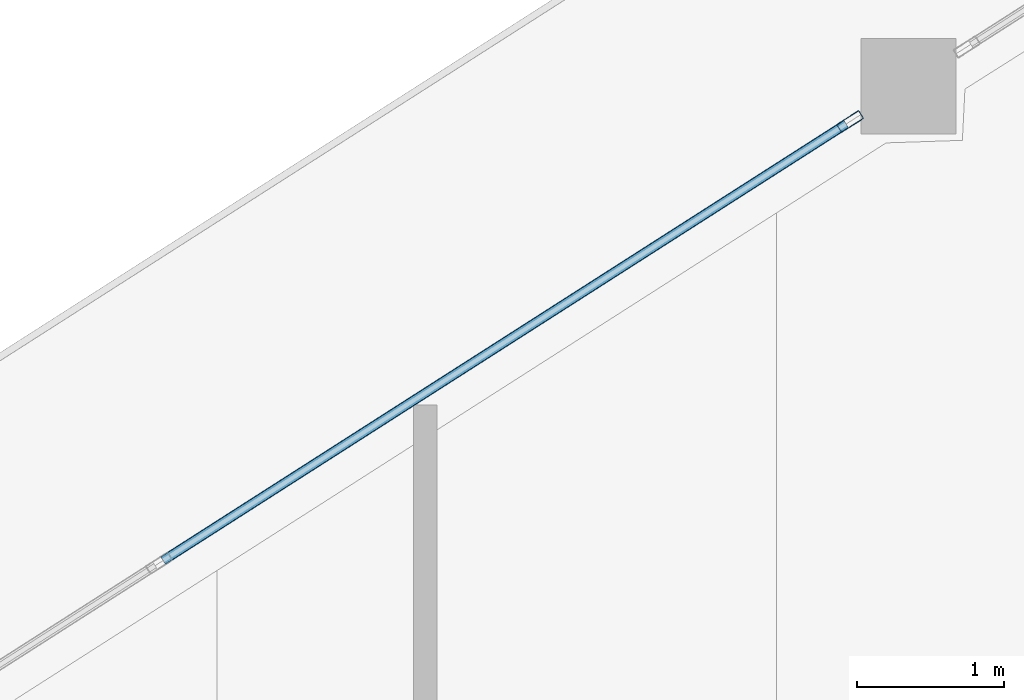
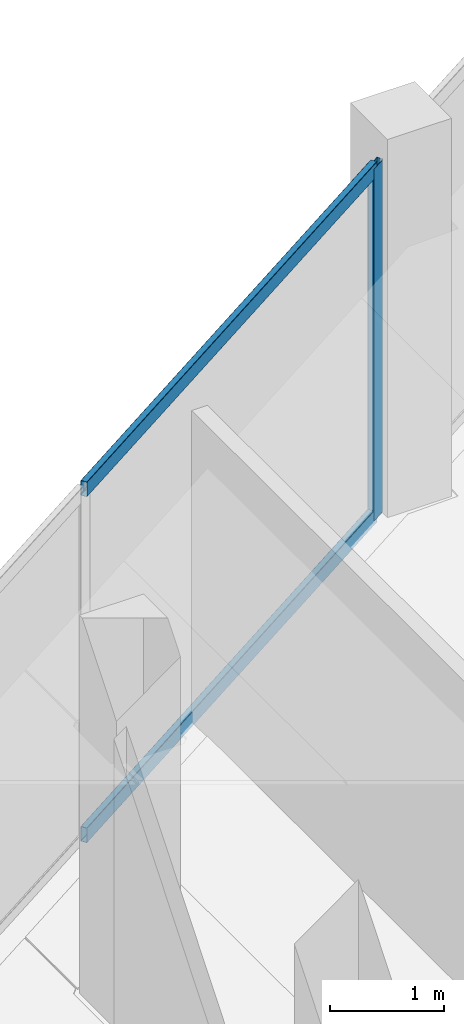
# One storey, part 21 of 44: 3 members, 1 element without a shape of its own.
"""IFC4 building model written with IfcOpenShell, lengths in metres."""

from ifc_helpers import new_model, si_unit, direction, frame, origin, origin_2d, place, context, subcontext, project, spatial, hollow_rectangle, extrude, material, layer, layer_set, material_profile, profile_set, type_object, element, aggregate, save


model = new_model("IFC4")

# Units and contexts
model_context = context("Model", 3, precision=1e-05, world=origin(), true_north=direction((0.0, 1.0)))
body_context = subcontext(model_context, "Body", "Model", "MODEL_VIEW")
ifc_project = project(units=[si_unit("LENGTHUNIT", "METRE"), si_unit("AREAUNIT", "SQUARE_METRE"), si_unit("VOLUMEUNIT", "CUBIC_METRE"), si_unit("PLANEANGLEUNIT", "RADIAN"), si_unit("MASSUNIT", "GRAM", prefix="KILO")], contexts=[model_context])

# Site, building, storey
site_placement = place(None, origin())
site = spatial("IfcSite", under=ifc_project, at=site_placement, CompositionType="ELEMENT")
building_placement = place(site_placement, origin())
building = spatial("IfcBuilding", under=site, at=building_placement, Name="Qorvath Tower", CompositionType="ELEMENT")
storey_placement = place(building_placement, frame((0.0, 0.0, 113.85009765625)))
storey = spatial("IfcBuildingStorey", under=building, at=storey_placement, Name="L25", CompositionType="ELEMENT", Elevation=113.85009765625)

# Curtain wall, members
ifc_material_1 = material(Name="Anodised aluminium and triple low-E glass", Category="aluminium")
ifc_layer = layer(ifc_material_1, 0.179931640625)
ifc_layer_set = layer_set([ifc_layer], Name="CW-SYS-2")
curtain_wall_type = type_object("IfcCurtainWallType", Name="CW-SYS-2", PredefinedType="NOTDEFINED", material=ifc_layer_set)
curtain_wall_placement = place(storey_placement, origin())
curtain_wall = element("IfcCurtainWall", 1, at=curtain_wall_placement, inside=storey, type_object=curtain_wall_type, Name="Curtain Wall CW-2 CW-T-L25-16.2", PredefinedType="NOTDEFINED")
ifc_material_2 = material(Name="Anodised aluminium 6063-T6", Category="aluminium")
ifc_material_profile_1 = material_profile(ifc_material_2, hollow_rectangle(XDim=0.06494140625, YDim=0.179931640625, WallThickness=0.00341796875, InnerFilletRadius=0.00341796875, OuterFilletRadius=0.007080078125, at=origin_2d()), Name="CWM 180x65")
ifc_profile_set_1 = profile_set([ifc_material_profile_1], Name="Anodised aluminium 6063-T6")
member_type_1 = type_object("IfcMemberType", Name="CWM-180", PredefinedType="MULLION", material=ifc_profile_set_1)
member_1_placement = place(storey_placement, frame((-25.43505859375, 24.81982421875, 0.0), z_axis=(0.0, 0.0, 1.0), x_axis=(0.538542779135, -0.84259816938, 0.0)))
member_1 = element("IfcMember", 2, at=member_1_placement, type_object=member_type_1, Name="CW-2 mullion 1", PredefinedType="MULLION", context=body_context, shape_type="SweptSolid", body=[
    extrude(hollow_rectangle(XDim=0.06494140625, YDim=0.179931640625, WallThickness=0.00341796875, InnerFilletRadius=0.00341796875, OuterFilletRadius=0.007080078125, at=origin_2d()), origin(), (0.0, 0.0, 1.0), 3.77001953125),
])
ifc_material_3 = material(Name="Anodised aluminium 6063-T6", Category="aluminium")
ifc_material_profile_2 = material_profile(ifc_material_3, hollow_rectangle(XDim=0.06494140625, YDim=0.159912109375, WallThickness=0.00341796875, InnerFilletRadius=0.00341796875, OuterFilletRadius=0.007080078125, at=origin_2d()), Name="CWT 160x65")
ifc_profile_set_2 = profile_set([ifc_material_profile_2], Name="Anodised aluminium 6063-T6")
member_type_2 = type_object("IfcMemberType", Name="CWT-160", PredefinedType="USERDEFINED", material=ifc_profile_set_2)
member_2_placement = place(storey_placement, frame((-25.46240234375, 24.802490234375, 0.032470703125), z_axis=(-0.84259710634, -0.538544442351, 0.0), x_axis=(0.538544442351, -0.84259710634, 0.0)))
member_2 = element("IfcMember", 3, at=member_2_placement, type_object=member_type_2, Name="CW-2 transom 1.1", ObjectType="TRANSOM", PredefinedType="USERDEFINED", context=body_context, shape_type="SweptSolid", body=[
    extrude(hollow_rectangle(XDim=0.06494140625, YDim=0.159912109375, WallThickness=0.00341796875, InnerFilletRadius=0.00341796875, OuterFilletRadius=0.007080078125, at=origin_2d()), origin(), (0.0, 0.0, 1.0), 5.5244140625),
])
member_3_placement = place(storey_placement, frame((-25.46240234375, 24.802490234375, 3.737548828125), z_axis=(-0.84259710634, -0.538544442351, 0.0), x_axis=(0.538544442351, -0.84259710634, 0.0)))
member_3 = element("IfcMember", 4, at=member_3_placement, type_object=member_type_2, Name="CW-2 transom 1.2", ObjectType="TRANSOM", PredefinedType="USERDEFINED", context=body_context, shape_type="SweptSolid", body=[
    extrude(hollow_rectangle(XDim=0.06494140625, YDim=0.159912109375, WallThickness=0.00341796875, InnerFilletRadius=0.00341796875, OuterFilletRadius=0.007080078125, at=origin_2d()), origin(), (0.0, 0.0, 1.0), 5.5244140625),
])
aggregate(curtain_wall, [member_1, member_2, member_3])

save(model, "model.ifc")
